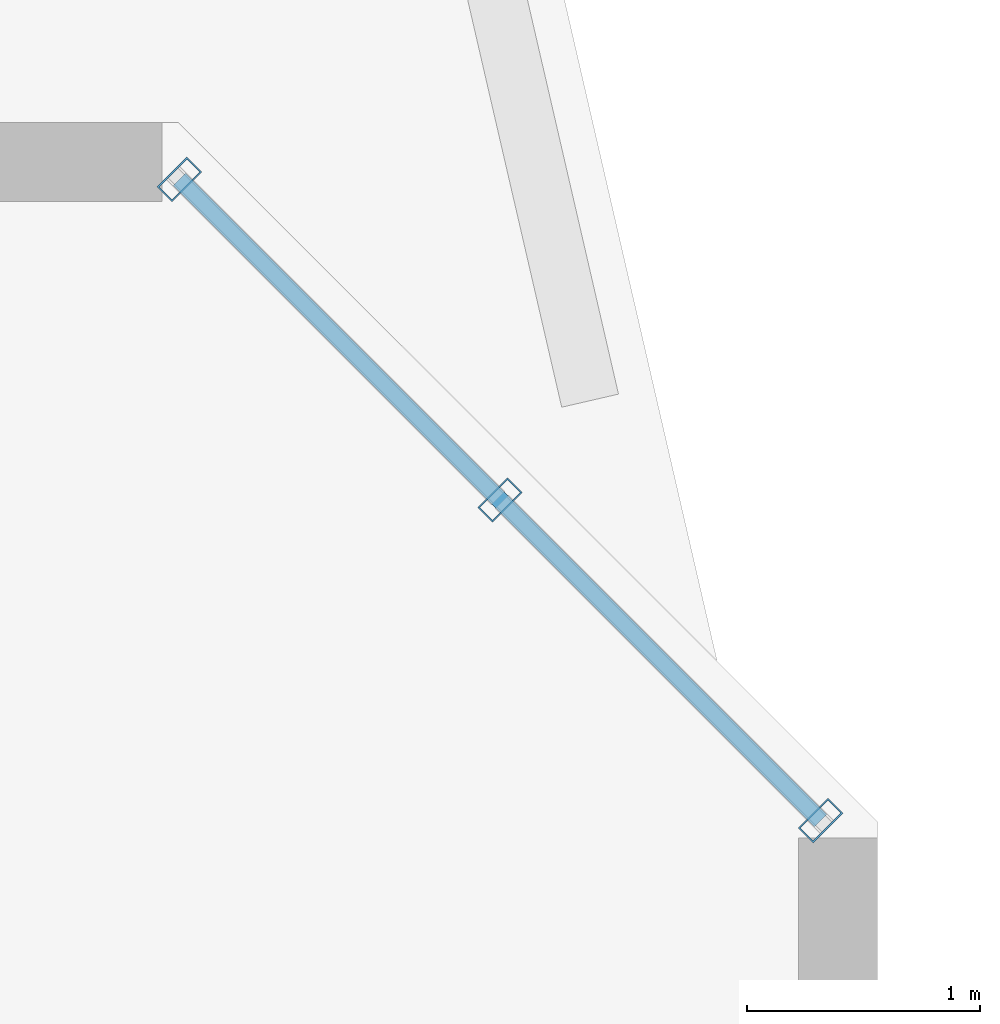
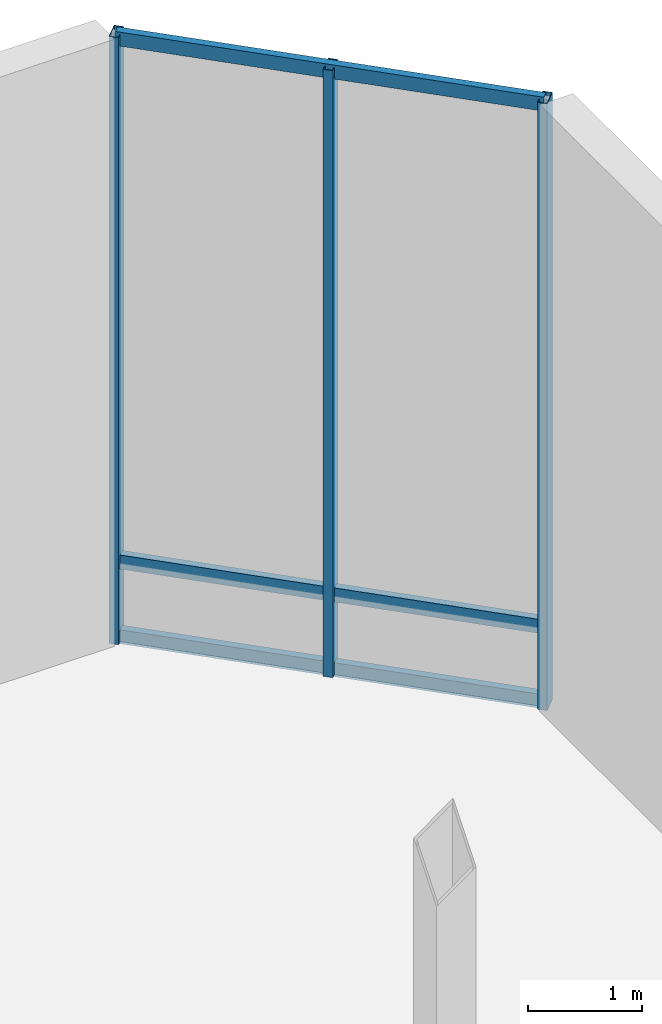
# One storey, part 17 of 25: 6 members, 1 element without a shape of its own.
"""IFC4 building model written with IfcOpenShell, lengths in metres."""

from ifc_helpers import new_model, si_unit, direction, frame, origin, origin_2d, place, context, subcontext, project, spatial, hollow_rectangle, extrude, material, layer, layer_set, material_profile, profile_set, type_object, element, aggregate, save


model = new_model("IFC4")

# Units and contexts
model_context = context("Model", 3, precision=1e-05, world=origin(), true_north=direction((0.0, 1.0)))
body_context = subcontext(model_context, "Body", "Model", "MODEL_VIEW")
ifc_project = project(units=[si_unit("LENGTHUNIT", "METRE"), si_unit("AREAUNIT", "SQUARE_METRE"), si_unit("VOLUMEUNIT", "CUBIC_METRE"), si_unit("PLANEANGLEUNIT", "RADIAN"), si_unit("MASSUNIT", "GRAM", prefix="KILO")], contexts=[model_context])

# Site, building, storey
site_placement = place(None, origin())
site = spatial("IfcSite", under=ifc_project, at=site_placement, CompositionType="ELEMENT")
building_placement = place(site_placement, origin())
building = spatial("IfcBuilding", under=site, at=building_placement, Name="Tavrogorsk Clinical Tower", CompositionType="ELEMENT")
storey_placement = place(building_placement, frame((0.0, 0.0, 333.0)))
storey = spatial("IfcBuildingStorey", under=building, at=storey_placement, Name="L78", CompositionType="ELEMENT", Elevation=333.0)

# Curtain wall, members
ifc_material_1 = material(Name="Anodised aluminium and triple IGU glazing", Category="aluminium")
ifc_layer = layer(ifc_material_1, 0.179931640625)
ifc_layer_set = layer_set([ifc_layer], Name="Anodised aluminium and triple IGU glazing")
curtain_wall_type = type_object("IfcCurtainWallType", Name="CW6_TmdLantern", PredefinedType="NOTDEFINED", material=ifc_layer_set)
curtain_wall_placement = place(storey_placement, origin())
curtain_wall = element("IfcCurtainWall", 1, at=curtain_wall_placement, inside=storey, type_object=curtain_wall_type, Name="L78 Curtain Wall CW-L78-TMD-5", PredefinedType="NOTDEFINED")
ifc_material_2 = material(Name="Anodised aluminium alloy AW-6060", Category="aluminium")
ifc_material_profile_1 = material_profile(ifc_material_2, hollow_rectangle(XDim=0.090087890625, YDim=0.179931640625, WallThickness=0.00634765625, at=origin_2d()), Name="RHS-180x90x6.3")
ifc_profile_set_1 = profile_set([ifc_material_profile_1], Name="Anodised aluminium alloy AW-6060")
member_type_1 = type_object("IfcMemberType", Name="CwMullion_180x90", PredefinedType="MULLION", material=ifc_profile_set_1)
member_1_placement = place(storey_placement, frame((24.00390625, 18.15576171875, 0.0), z_axis=(0.0, 0.0, 1.0), x_axis=(0.707106781187, -0.707106781187, 0.0)))
member_1 = element("IfcMember", 2, at=member_1_placement, type_object=member_type_1, Name="CW-L78-TMD-5 Mullion 1", PredefinedType="MULLION", context=body_context, shape_type="SweptSolid", body=[
    extrude(hollow_rectangle(XDim=0.090087890625, YDim=0.179931640625, WallThickness=0.00634765625, at=origin_2d()), origin(), (0.0, 0.0, 1.0), 6.5),
])
member_2_placement = place(storey_placement, frame((25.3798828125, 16.77978515625, 0.0), z_axis=(0.0, 0.0, 1.0), x_axis=(0.707106781187, -0.707106781187, 0.0)))
member_2 = element("IfcMember", 3, at=member_2_placement, type_object=member_type_1, Name="CW-L78-TMD-5 Mullion 2", PredefinedType="MULLION", context=body_context, shape_type="SweptSolid", body=[
    extrude(hollow_rectangle(XDim=0.090087890625, YDim=0.179931640625, WallThickness=0.00634765625, at=origin_2d()), origin(), (0.0, 0.0, 1.0), 6.5),
])
member_3_placement = place(storey_placement, frame((26.755859375, 15.40380859375, 0.0), z_axis=(0.0, 0.0, 1.0), x_axis=(0.707106781187, -0.707106781187, 0.0)))
member_3 = element("IfcMember", 4, at=member_3_placement, type_object=member_type_1, Name="CW-L78-TMD-5 Mullion 3", PredefinedType="MULLION", context=body_context, shape_type="SweptSolid", body=[
    extrude(hollow_rectangle(XDim=0.090087890625, YDim=0.179931640625, WallThickness=0.00634765625, at=origin_2d()), origin(), (0.0, 0.0, 1.0), 6.5),
])
ifc_material_3 = material(Name="Anodised aluminium alloy AW-6060", Category="aluminium")
ifc_material_profile_2 = material_profile(ifc_material_3, hollow_rectangle(XDim=0.074951171875, YDim=0.14990234375, WallThickness=0.0048828125, at=origin_2d()), Name="RHS-150x75x5")
ifc_profile_set_2 = profile_set([ifc_material_profile_2], Name="Anodised aluminium alloy AW-6060")
member_type_2 = type_object("IfcMemberType", Name="CwTransom_150x75", PredefinedType="USERDEFINED", material=ifc_profile_set_2)
member_4_placement = place(storey_placement, frame((24.00390625, 18.15576171875, 0.050048828125), z_axis=(0.707106781187, -0.707106781187, 0.0), x_axis=(0.707106781187, 0.707106781187, 0.0)))
member_4 = element("IfcMember", 5, at=member_4_placement, type_object=member_type_2, Name="CW-L78-TMD-5 Transom 1", ObjectType="TRANSOM", PredefinedType="USERDEFINED", context=body_context, shape_type="SweptSolid", body=[
    extrude(hollow_rectangle(XDim=0.074951171875, YDim=0.14990234375, WallThickness=0.0048828125, at=origin_2d()), origin(), (0.0, 0.0, 1.0), 3.891845703125),
])
member_5_placement = place(storey_placement, frame((24.00390625, 18.15576171875, 0.85009765625), z_axis=(0.707106781187, -0.707106781187, 0.0), x_axis=(0.707106781187, 0.707106781187, 0.0)))
member_5 = element("IfcMember", 6, at=member_5_placement, type_object=member_type_2, Name="CW-L78-TMD-5 Transom 2", ObjectType="TRANSOM", PredefinedType="USERDEFINED", context=body_context, shape_type="SweptSolid", body=[
    extrude(hollow_rectangle(XDim=0.074951171875, YDim=0.14990234375, WallThickness=0.0048828125, at=origin_2d()), origin(), (0.0, 0.0, 1.0), 3.891845703125),
])
member_6_placement = place(storey_placement, frame((24.00390625, 18.15576171875, 6.449951171875), z_axis=(0.707106781187, -0.707106781187, 0.0), x_axis=(0.707106781187, 0.707106781187, 0.0)))
member_6 = element("IfcMember", 7, at=member_6_placement, type_object=member_type_2, Name="CW-L78-TMD-5 Transom 3", ObjectType="TRANSOM", PredefinedType="USERDEFINED", context=body_context, shape_type="SweptSolid", body=[
    extrude(hollow_rectangle(XDim=0.074951171875, YDim=0.14990234375, WallThickness=0.0048828125, at=origin_2d()), origin(), (0.0, 0.0, 1.0), 3.891845703125),
])
aggregate(curtain_wall, [member_1, member_2, member_3, member_4, member_5, member_6])

save(model, "model.ifc")
